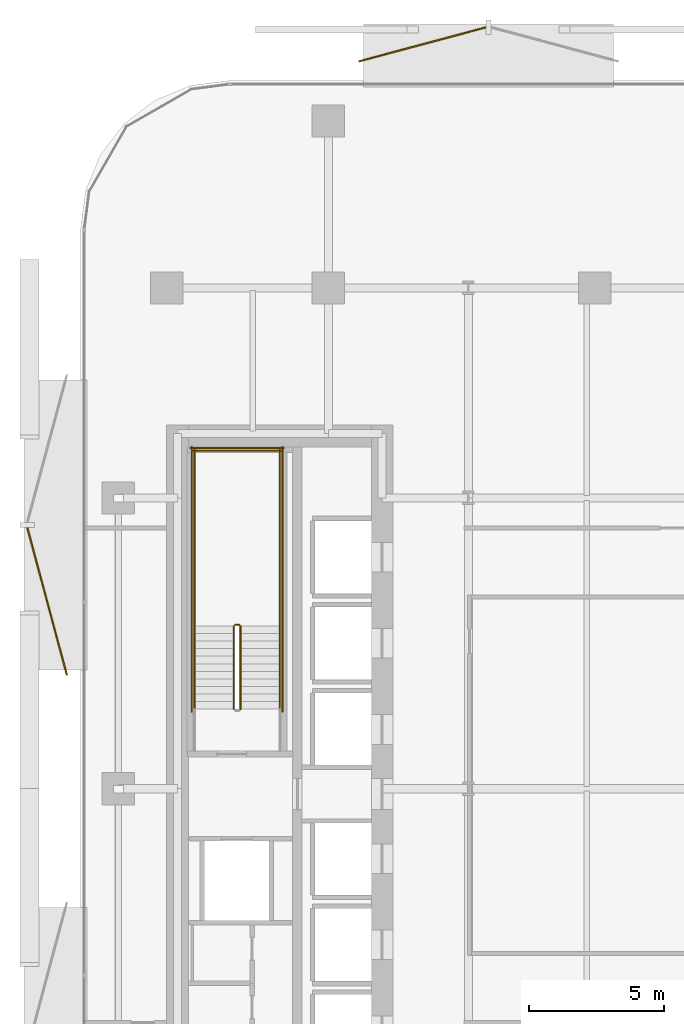
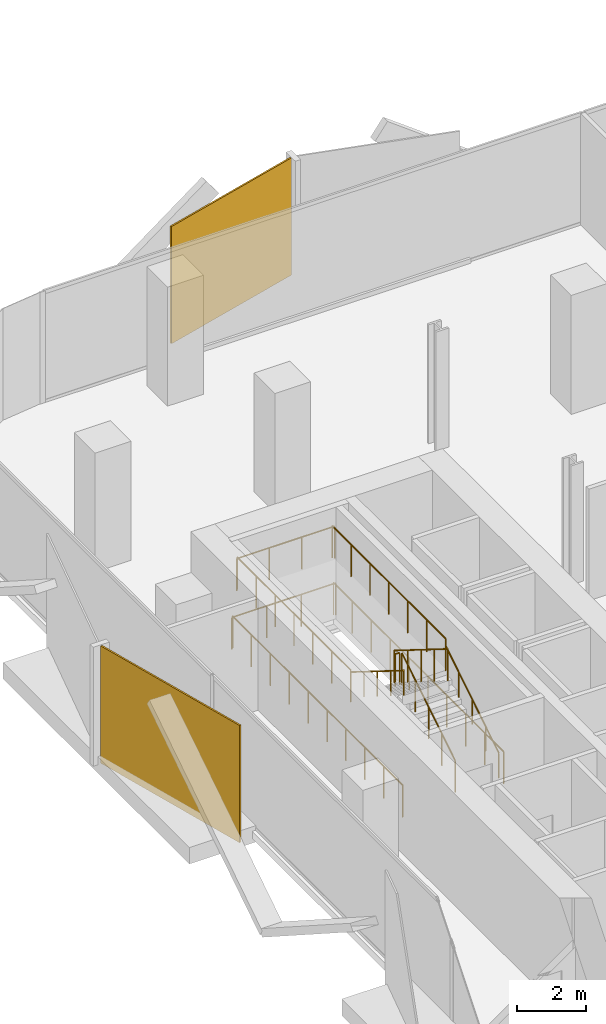
# One storey, part 13 of 14: 11 railings, 2 coverings.
"""IFC4 building model written with IfcOpenShell, lengths in metres."""

from ifc_helpers import new_model, si_unit, direction, frame, origin, origin_2d, place, context, subcontext, project, spatial, rectangle, circle, extrude, material, layer, layer_set, type_object, element, save


model = new_model("IFC4")

# Units and contexts
model_context = context("Model", 3, precision=1e-05, world=origin(), true_north=direction((0.0, 1.0)))
body_context = subcontext(model_context, "Body", "Model", "MODEL_VIEW")
ifc_project = project(units=[si_unit("LENGTHUNIT", "METRE"), si_unit("AREAUNIT", "SQUARE_METRE"), si_unit("VOLUMEUNIT", "CUBIC_METRE"), si_unit("PLANEANGLEUNIT", "RADIAN"), si_unit("MASSUNIT", "GRAM", prefix="KILO")], contexts=[model_context])

# Site, building, storey
site_placement = place(None, origin())
site = spatial("IfcSite", under=ifc_project, at=site_placement, CompositionType="ELEMENT")
building_placement = place(site_placement, origin())
building = spatial("IfcBuilding", under=site, at=building_placement, Name="Khairoan Windgate Tower", CompositionType="ELEMENT")
storey_placement = place(building_placement, frame((0.0, 0.0, 93.199951171875)))
storey = spatial("IfcBuildingStorey", under=building, at=storey_placement, Name="L21", CompositionType="ELEMENT", Elevation=93.199951171875)

# Coverings
ifc_material_1 = material(Name="Anodised Bronze Aluminium 6063-T6", Category="aluminium")
ifc_layer = layer(ifc_material_1, 0.054931640625, Name="Anodised Bronze Aluminium 6063-T6")
ifc_layer_set = layer_set([ifc_layer], Name="Anodised Bronze Aluminium 6063-T6")
covering_type = type_object("IfcCoveringType", Name="Perforated Bronze-Ceramic Folded Solar Screen Cladding BSC-1", PredefinedType="CLADDING", material=ifc_layer_set)
covering_1_placement = place(storey_placement, frame((-24.8447265625, 6.961669921875, -0.10009765625), z_axis=(0.0, 0.0, 1.0), x_axis=(-0.258819045103, 0.965925826289, 0.0)))
element("IfcCovering", 1, at=covering_1_placement, inside=storey, type_object=covering_type, Name="L21 Folded Bronze Solar Screen Facet 116L", PredefinedType="CLADDING", context=body_context, shape_type="SweptSolid", body=[
    extrude(rectangle(XDim=5.680908203125, YDim=0.054931640625, at=origin_2d()), origin(), (0.0, 0.0, 1.0), 4.139892578125),
])
covering_2_placement = place(storey_placement, frame((-10.90087890625, 27.646240234375, -0.10009765625), z_axis=(0.0, 0.0, 1.0), x_axis=(0.965925826289, 0.258819045103, 0.0)))
element("IfcCovering", 2, at=covering_2_placement, inside=storey, type_object=covering_type, Name="L21 Folded Bronze Solar Screen Facet 117L", PredefinedType="CLADDING", context=body_context, shape_type="SweptSolid", body=[
    extrude(rectangle(XDim=4.89794921875, YDim=0.054931640625, at=origin_2d()), origin(), (0.0, 0.0, 1.0), 4.139892578125),
])

# Railings
ifc_material_2 = material(Name="Anodised Bronze Aluminium 6063-T6", Category="aluminium")
railing_type_1 = type_object("IfcRailingType", Name="Stair Wall Handrail SHR-900", PredefinedType="HANDRAIL", material=ifc_material_2)
railing_1_placement = place(storey_placement, frame((-16.199951171875, 2.9599609375, 0.175048828125)))
element("IfcRailing", 3, at=railing_1_placement, inside=storey, type_object=railing_type_1, Name="L21 ST2 stair handrail 1", PredefinedType="HANDRAIL", context=body_context, shape_type="SweptSolid", body=[
    extrude(circle(Radius=0.02392578125, at=origin_2d()), frame((0.0, 0.0, 0.8759765625), z_axis=(0.0, 0.847998304005, 0.529998940003), x_axis=(-1.0, 0.0, 0.0)), (0.0, 0.0, 1.0), 3.632080078125),
    extrude(circle(Radius=0.02099609375, at=origin_2d()), origin(), (0.0, 0.0, 1.0), 0.851806640625),
    extrude(circle(Radius=0.02099609375, at=origin_2d()), frame((0.0, 0.77001953125, 0.481201171875)), (0.0, 0.0, 1.0), 0.851806640625),
    extrude(circle(Radius=0.02099609375, at=origin_2d()), frame((0.0, 1.5400390625, 0.96240234375)), (0.0, 0.0, 1.0), 0.851806640625),
    extrude(circle(Radius=0.02099609375, at=origin_2d()), frame((0.0, 2.31005859375, 1.44384765625)), (0.0, 0.0, 1.0), 0.851806640625),
    extrude(circle(Radius=0.02099609375, at=origin_2d()), frame((0.0, 3.080078125, 1.925048828125)), (0.0, 0.0, 1.0), 0.851806640625),
])
railing_2_placement = place(storey_placement, frame((-19.3701171875, 6.0400390625, 2.275146484375)))
element("IfcRailing", 4, at=railing_2_placement, inside=storey, type_object=railing_type_1, Name="L21 ST2 stair handrail 2", PredefinedType="HANDRAIL", context=body_context, shape_type="SweptSolid", body=[
    extrude(circle(Radius=0.02392578125, at=origin_2d()), frame((0.0, 0.0, 0.8759765625), z_axis=(0.0, -0.848028513186, 0.529950602248), x_axis=(1.0, 0.0, 0.0)), (0.0, 0.0, 1.0), 3.632080078125),
    extrude(circle(Radius=0.02099609375, at=origin_2d()), origin(), (0.0, 0.0, 1.0), 0.851806640625),
    extrude(circle(Radius=0.02099609375, at=origin_2d()), frame((0.0, -0.77001953125, 0.481201171875)), (0.0, 0.0, 1.0), 0.851806640625),
    extrude(circle(Radius=0.02099609375, at=origin_2d()), frame((0.0, -1.5400390625, 0.96240234375)), (0.0, 0.0, 1.0), 0.851806640625),
    extrude(circle(Radius=0.02099609375, at=origin_2d()), frame((0.0, -2.31005859375, 1.443603515625)), (0.0, 0.0, 1.0), 0.851806640625),
    extrude(circle(Radius=0.02099609375, at=origin_2d()), frame((0.0, -3.080078125, 1.9248046875)), (0.0, 0.0, 1.0), 0.851806640625),
])
ifc_material_3 = material(Name="Steel S355", Category="steel")
railing_type_2 = type_object("IfcRailingType", Name="Stairwell Safety Guardrail SGR-1150", PredefinedType="GUARDRAIL", material=ifc_material_3)
railing_3_placement = place(storey_placement, frame((-17.659912109375, 2.9599609375, 0.175048828125)))
element("IfcRailing", 5, at=railing_3_placement, inside=storey, type_object=railing_type_2, Name="L21 ST2 stair guard 1", PredefinedType="GUARDRAIL", context=body_context, shape_type="SweptSolid", body=[
    extrude(circle(Radius=0.02392578125, at=origin_2d()), frame((0.0, 0.0, 1.1259765625), z_axis=(0.0, 0.847998304005, 0.529998940003), x_axis=(-1.0, 0.0, 0.0)), (0.0, 0.0, 1.0), 3.632080078125),
    extrude(circle(Radius=0.02099609375, at=origin_2d()), origin(), (0.0, 0.0, 1.0), 1.101806640625),
    extrude(circle(Radius=0.02099609375, at=origin_2d()), frame((0.0, 0.77001953125, 0.481201171875)), (0.0, 0.0, 1.0), 1.101806640625),
    extrude(circle(Radius=0.02099609375, at=origin_2d()), frame((0.0, 1.5400390625, 0.96240234375)), (0.0, 0.0, 1.0), 1.101806640625),
    extrude(circle(Radius=0.02099609375, at=origin_2d()), frame((0.0, 2.31005859375, 1.44384765625)), (0.0, 0.0, 1.0), 1.101806640625),
    extrude(circle(Radius=0.02099609375, at=origin_2d()), frame((0.0, 3.080078125, 1.925048828125)), (0.0, 0.0, 1.0), 1.101806640625),
])
railing_4_placement = place(storey_placement, frame((-17.7099609375, 6.090087890625, 2.10009765625)))
element("IfcRailing", 6, at=railing_4_placement, inside=storey, type_object=railing_type_2, Name="L21 ST2 stair guard 2", PredefinedType="GUARDRAIL", context=body_context, shape_type="SweptSolid", body=[
    extrude(circle(Radius=0.02392578125, at=origin_2d()), frame((0.0, 0.0, 1.1259765625), z_axis=(-1.0, 0.0, 0.0), x_axis=(0.0, -1.0, 0.0)), (0.0, 0.0, 1.0), 0.150146484375),
    extrude(circle(Radius=0.02099609375, at=origin_2d()), origin(), (0.0, 0.0, 1.0), 1.101806640625),
    extrude(circle(Radius=0.02099609375, at=origin_2d()), frame((-0.150146484375, 0.0, 0.0)), (0.0, 0.0, 1.0), 1.101806640625),
])
for number, where, name in (
    (7, (-16.199951171875, 6.0400390625, 2.10009765625), "L21 ST2 stair guard 3"),
    (8, (-19.3701171875, 6.0400390625, 2.10009765625), "L21 ST2 stair guard 4"),
):
    element("IfcRailing", number, at=place(storey_placement, frame(where)), inside=storey, type_object=railing_type_2, Name=name, PredefinedType="GUARDRAIL", context=body_context, shape_type="SweptSolid", body=[
        extrude(circle(Radius=0.02392578125, at=origin_2d()), frame((0.0, 0.0, 1.1259765625), z_axis=(0.0, 1.0, 0.0), x_axis=(-1.0, 0.0, 0.0)), (0.0, 0.0, 1.0), 6.56005859375),
        extrude(circle(Radius=0.02099609375, at=origin_2d()), origin(), (0.0, 0.0, 1.0), 1.101806640625),
        extrude(circle(Radius=0.02099609375, at=origin_2d()), frame((0.0, 1.09326171875, 0.0)), (0.0, 0.0, 1.0), 1.101806640625),
        extrude(circle(Radius=0.02099609375, at=origin_2d()), frame((0.0, 2.186767578125, 0.0)), (0.0, 0.0, 1.0), 1.101806640625),
        extrude(circle(Radius=0.02099609375, at=origin_2d()), frame((0.0, 3.280029296875, 0.0)), (0.0, 0.0, 1.0), 1.101806640625),
        extrude(circle(Radius=0.02099609375, at=origin_2d()), frame((0.0, 4.373291015625, 0.0)), (0.0, 0.0, 1.0), 1.101806640625),
        extrude(circle(Radius=0.02099609375, at=origin_2d()), frame((0.0, 5.466796875, 0.0)), (0.0, 0.0, 1.0), 1.101806640625),
        extrude(circle(Radius=0.02099609375, at=origin_2d()), frame((0.0, 6.56005859375, 0.0)), (0.0, 0.0, 1.0), 1.101806640625),
    ])
railing_5_placement = place(storey_placement, frame((-16.14990234375, 12.550048828125, 2.10009765625)))
element("IfcRailing", 9, at=railing_5_placement, inside=storey, type_object=railing_type_2, Name="L21 ST2 stair guard 5", PredefinedType="GUARDRAIL", context=body_context, shape_type="SweptSolid", body=[
    extrude(circle(Radius=0.02392578125, at=origin_2d()), frame((0.0, 0.0, 1.1259765625), z_axis=(-1.0, 0.0, 0.0), x_axis=(0.0, -1.0, 0.0)), (0.0, 0.0, 1.0), 3.27001953125),
    extrude(circle(Radius=0.02099609375, at=origin_2d()), origin(), (0.0, 0.0, 1.0), 1.101806640625),
    extrude(circle(Radius=0.02099609375, at=origin_2d()), frame((-1.090087890625, 0.0, 0.0)), (0.0, 0.0, 1.0), 1.101806640625),
    extrude(circle(Radius=0.02099609375, at=origin_2d()), frame((-2.179931640625, 0.0, 0.0)), (0.0, 0.0, 1.0), 1.101806640625),
    extrude(circle(Radius=0.02099609375, at=origin_2d()), frame((-3.27001953125, 0.0, 0.0)), (0.0, 0.0, 1.0), 1.101806640625),
])
railing_6_placement = place(storey_placement, frame((-17.909912109375, 6.0400390625, 2.275146484375)))
element("IfcRailing", 10, at=railing_6_placement, inside=storey, type_object=railing_type_2, Name="L21 ST2 stair guard 6", PredefinedType="GUARDRAIL", context=body_context, shape_type="SweptSolid", body=[
    extrude(circle(Radius=0.02392578125, at=origin_2d()), frame((0.0, 0.0, 1.1259765625), z_axis=(0.0, -0.848028513186, 0.529950602248), x_axis=(1.0, 0.0, 0.0)), (0.0, 0.0, 1.0), 3.632080078125),
    extrude(circle(Radius=0.02099609375, at=origin_2d()), origin(), (0.0, 0.0, 1.0), 1.101806640625),
    extrude(circle(Radius=0.02099609375, at=origin_2d()), frame((0.0, -0.77001953125, 0.481201171875)), (0.0, 0.0, 1.0), 1.101806640625),
    extrude(circle(Radius=0.02099609375, at=origin_2d()), frame((0.0, -1.5400390625, 0.96240234375)), (0.0, 0.0, 1.0), 1.101806640625),
    extrude(circle(Radius=0.02099609375, at=origin_2d()), frame((0.0, -2.31005859375, 1.443603515625)), (0.0, 0.0, 1.0), 1.101806640625),
    extrude(circle(Radius=0.02099609375, at=origin_2d()), frame((0.0, -3.080078125, 1.9248046875)), (0.0, 0.0, 1.0), 1.101806640625),
])
for number, where, name in (
    (11, (-16.10009765625, 2.860107421875, 0.0), "L21 ST2 stair guard 10"),
    (12, (-19.469970703125, 2.860107421875, 0.0), "L21 ST2 stair guard 11"),
):
    element("IfcRailing", number, at=place(storey_placement, frame(where)), inside=storey, type_object=railing_type_2, Name=name, PredefinedType="GUARDRAIL", context=body_context, shape_type="SweptSolid", body=[
        extrude(circle(Radius=0.02392578125, at=origin_2d()), frame((0.0, 0.0, 1.1259765625), z_axis=(0.0, 1.0, 0.0), x_axis=(-1.0, 0.0, 0.0)), (0.0, 0.0, 1.0), 9.83984375),
        extrude(circle(Radius=0.02099609375, at=origin_2d()), origin(), (0.0, 0.0, 1.0), 1.101806640625),
        extrude(circle(Radius=0.02099609375, at=origin_2d()), frame((0.0, 1.09326171875, 0.0)), (0.0, 0.0, 1.0), 1.101806640625),
        extrude(circle(Radius=0.02099609375, at=origin_2d()), frame((0.0, 2.1865234375, 0.0)), (0.0, 0.0, 1.0), 1.101806640625),
        extrude(circle(Radius=0.02099609375, at=origin_2d()), frame((0.0, 3.280029296875, 0.0)), (0.0, 0.0, 1.0), 1.101806640625),
        extrude(circle(Radius=0.02099609375, at=origin_2d()), frame((0.0, 4.373291015625, 0.0)), (0.0, 0.0, 1.0), 1.101806640625),
        extrude(circle(Radius=0.02099609375, at=origin_2d()), frame((0.0, 5.466552734375, 0.0)), (0.0, 0.0, 1.0), 1.101806640625),
        extrude(circle(Radius=0.02099609375, at=origin_2d()), frame((0.0, 6.559814453125, 0.0)), (0.0, 0.0, 1.0), 1.101806640625),
        extrude(circle(Radius=0.02099609375, at=origin_2d()), frame((0.0, 7.6533203125, 0.0)), (0.0, 0.0, 1.0), 1.101806640625),
        extrude(circle(Radius=0.02099609375, at=origin_2d()), frame((0.0, 8.74658203125, 0.0)), (0.0, 0.0, 1.0), 1.101806640625),
        extrude(circle(Radius=0.02099609375, at=origin_2d()), frame((0.0, 9.83984375, 0.0)), (0.0, 0.0, 1.0), 1.101806640625),
    ])
railing_7_placement = place(storey_placement, frame((-16.050048828125, 12.64990234375, 0.0)))
element("IfcRailing", 13, at=railing_7_placement, inside=storey, type_object=railing_type_2, Name="L21 ST2 stair guard 12", PredefinedType="GUARDRAIL", context=body_context, shape_type="SweptSolid", body=[
    extrude(circle(Radius=0.02392578125, at=origin_2d()), frame((0.0, 0.0, 1.1259765625), z_axis=(-1.0, 0.0, 0.0), x_axis=(0.0, -1.0, 0.0)), (0.0, 0.0, 1.0), 3.469970703125),
    extrude(circle(Radius=0.02099609375, at=origin_2d()), origin(), (0.0, 0.0, 1.0), 1.101806640625),
    extrude(circle(Radius=0.02099609375, at=origin_2d()), frame((-1.15673828125, 0.0, 0.0)), (0.0, 0.0, 1.0), 1.101806640625),
    extrude(circle(Radius=0.02099609375, at=origin_2d()), frame((-2.313232421875, 0.0, 0.0)), (0.0, 0.0, 1.0), 1.101806640625),
    extrude(circle(Radius=0.02099609375, at=origin_2d()), frame((-3.469970703125, 0.0, 0.0)), (0.0, 0.0, 1.0), 1.101806640625),
])

save(model, "model.ifc")
